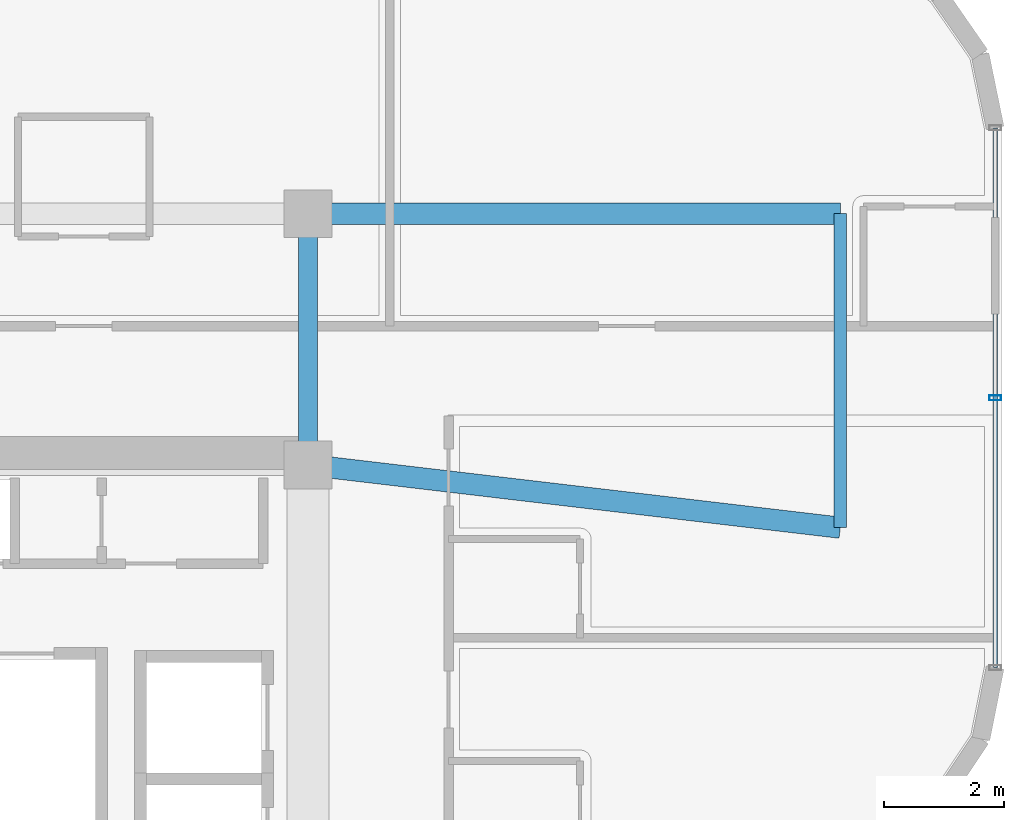
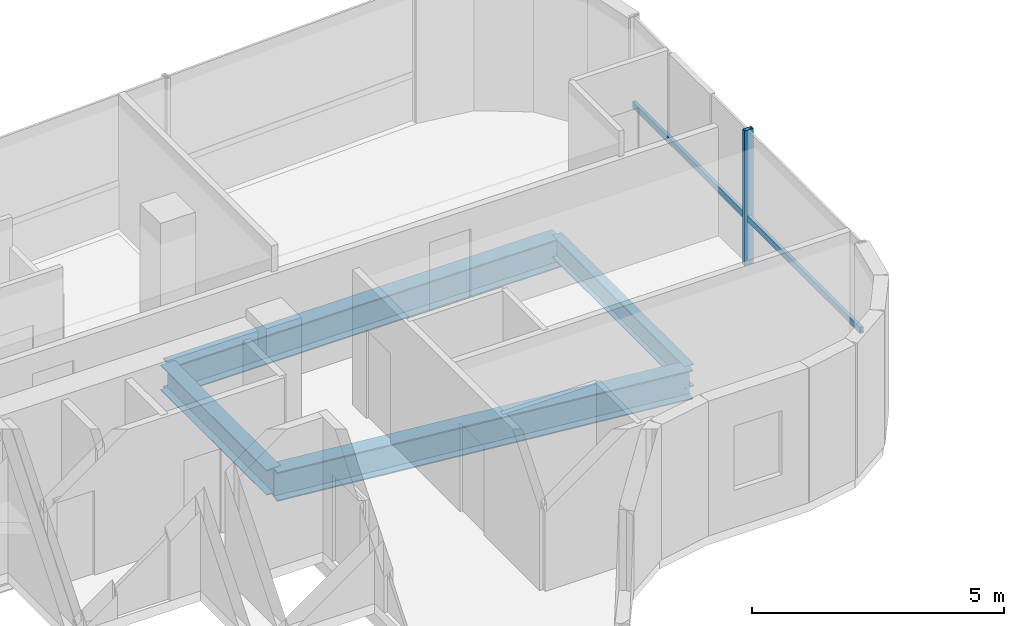
# One storey, part 9 of 20: 4 beams, 2 members, 1 element without a shape of its own.
"""IFC4 building model written with IfcOpenShell, lengths in metres."""

from ifc_helpers import new_model, si_unit, direction, frame, origin, origin_2d, place, context, subcontext, project, spatial, hollow_rectangle, i_section, extrude, source, transform, mapped, material, material_profile, profile_set, type_object, element, aggregate, save


model = new_model("IFC4")

# Units and contexts
model_context = context("Model", 3, precision=1e-05, world=origin(), true_north=direction((0.0, 1.0)))
body_context = subcontext(model_context, "Body", "Model", "MODEL_VIEW")
ifc_project = project(units=[si_unit("LENGTHUNIT", "METRE"), si_unit("AREAUNIT", "SQUARE_METRE"), si_unit("VOLUMEUNIT", "CUBIC_METRE"), si_unit("PLANEANGLEUNIT", "RADIAN"), si_unit("MASSUNIT", "GRAM", prefix="KILO")], contexts=[model_context])

# Site, building, storey
site_placement = place(None, origin())
site = spatial("IfcSite", under=ifc_project, at=site_placement, CompositionType="ELEMENT")
building_placement = place(site_placement, origin())
building = spatial("IfcBuilding", under=site, at=building_placement, Name="Valdorenza Pilgrim Sanctuary Tower", CompositionType="ELEMENT")
storey_placement = place(building_placement, frame((0.0, 0.0, 240.5)))
storey = spatial("IfcBuildingStorey", under=building, at=storey_placement, Name="L62", CompositionType="ELEMENT", Elevation=240.5)

# Beams
ifc_material_1 = material(Name="Steel ASTM A992 Grade 50", Category="steel")
ifc_material_profile_1 = material_profile(ifc_material_1, i_section(OverallWidth=0.323974609375, OverallDepth=0.611083984375, WebThickness=0.0126953125, FlangeThickness=0.01904296875, at=origin_2d()), Name="W24X104")
ifc_profile_set_1 = profile_set([ifc_material_profile_1], Name="Steel ASTM A992 Grade 50")
beam_type_1 = type_object("IfcBeamType", Name="STR-BM-GRD-W24B", PredefinedType="BEAM", material=ifc_profile_set_1)
shared_shape_1 = source(origin(), body_context, "Body", "SweptSolid", [
    extrude(i_section(OverallWidth=0.323974609375, OverallDepth=0.611083984375, WebThickness=0.0126953125, FlangeThickness=0.01904296875, at=origin_2d()), origin(), (0.0, 0.0, 1.0), 4.199951171875),
])
beam_1_placement = place(storey_placement, frame((-12.39990234375, 10.60009765625, -0.54541015625), z_axis=(0.0, 1.0, 0.0), x_axis=(-1.0, 0.0, 0.0)))
element("IfcBeam", 1, at=beam_1_placement, inside=storey, type_object=beam_type_1, Name="L62 Core Tie Girder CA-E-N1N2", PredefinedType="BEAM", context=body_context, shape_type="MappedRepresentation", body=[
    mapped(shared_shape_1, transform((0.0, 0.0, 0.0), x_axis=(1.0, 0.0, 0.0), y_axis=(0.0, 1.0, 0.0), z_axis=(0.0, 0.0, 1.0), scale=1.0)),
])
ifc_material_profile_2 = material_profile(ifc_material_1, i_section(OverallWidth=0.2109375, OverallDepth=0.5390625, WebThickness=0.01171875, FlangeThickness=0.018798828125, at=origin_2d()), Name="W21X73")
ifc_profile_set_2 = profile_set([ifc_material_profile_2], Name="Steel ASTM A992 Grade 50")
beam_type_2 = type_object("IfcBeamType", Name="STR-BM-SPN-W21B", PredefinedType="SPANDREL", material=ifc_profile_set_2)
shared_shape_2 = source(origin(), body_context, "Body", "SweptSolid", [
    extrude(i_section(OverallWidth=0.2109375, OverallDepth=0.5390625, WebThickness=0.01171875, FlangeThickness=0.018798828125, at=origin_2d()), origin(), (0.0, 0.0, 1.0), 5.25),
])
beam_2_placement = place(storey_placement, frame((-3.5, 9.550048828125, -0.509521484375), z_axis=(0.0, 1.0, 0.0), x_axis=(-1.0, 0.0, 0.0)))
element("IfcBeam", 2, at=beam_2_placement, inside=storey, type_object=beam_type_2, Name="L62 Floor Girder UWA-KTIE", PredefinedType="SPANDREL", context=body_context, shape_type="MappedRepresentation", body=[
    mapped(shared_shape_2, transform((0.0, 0.0, 0.0), x_axis=(1.0, 0.0, 0.0), y_axis=(0.0, 1.0, 0.0), z_axis=(0.0, 0.0, 1.0), scale=1.0)),
])
ifc_material_profile_3 = material_profile(ifc_material_1, i_section(OverallWidth=0.35595703125, OverallDepth=0.700927734375, WebThickness=0.016845703125, FlangeThickness=0.02734375, at=origin_2d()), Name="W27X161")
ifc_profile_set_3 = profile_set([ifc_material_profile_3], Name="Steel ASTM A992 Grade 50")
beam_type_3 = type_object("IfcBeamType", Name="STR-BM-GRD-W27", PredefinedType="BEAM", material=ifc_profile_set_3)
shared_shape_3 = source(origin(), body_context, "Body", "SweptSolid", [
    extrude(i_section(OverallWidth=0.35595703125, OverallDepth=0.700927734375, WebThickness=0.016845703125, FlangeThickness=0.02734375, at=origin_2d()), origin(), (0.0, 0.0, 1.0), 8.961669921875),
])
beam_3_placement = place(storey_placement, frame((-12.39990234375, 10.60009765625, -0.590576171875), z_axis=(0.993111684121, -0.117171595803, 0.0), x_axis=(0.117171595803, 0.993111684121, 0.0)))
element("IfcBeam", 3, at=beam_3_placement, inside=storey, type_object=beam_type_3, Name="L62 Floor Girder UWA-KG1", PredefinedType="BEAM", context=body_context, shape_type="MappedRepresentation", body=[
    mapped(shared_shape_3, transform((0.0, 0.0, 0.0), x_axis=(1.0, 0.0, 0.0), y_axis=(0.0, 1.0, 0.0), z_axis=(0.0, 0.0, 1.0), scale=1.0)),
])
shared_shape_4 = source(origin(), body_context, "Body", "SweptSolid", [
    extrude(i_section(OverallWidth=0.35595703125, OverallDepth=0.700927734375, WebThickness=0.016845703125, FlangeThickness=0.02734375, at=origin_2d()), origin(), (0.0, 0.0, 1.0), 8.89990234375),
])
beam_4_placement = place(storey_placement, frame((-12.39990234375, 14.800048828125, -0.590576171875), z_axis=(1.0, 0.0, 0.0), x_axis=(0.0, 1.0, 0.0)))
element("IfcBeam", 4, at=beam_4_placement, inside=storey, type_object=beam_type_3, Name="L62 Floor Girder UWA-KG2", PredefinedType="BEAM", context=body_context, shape_type="MappedRepresentation", body=[
    mapped(shared_shape_4, transform((0.0, 0.0, 0.0), x_axis=(1.0, 0.0, 0.0), y_axis=(0.0, 1.0, 0.0), z_axis=(0.0, 0.0, 1.0), scale=1.0)),
])

# Curtain wall, members
ifc_material_2 = material(Name="Curtain-wall IGU glazing", Category="glass")
curtain_wall_type = type_object("IfcCurtainWallType", Name="CW-SYS-02", PredefinedType="NOTDEFINED", material=ifc_material_2)
curtain_wall_placement = place(storey_placement, origin())
curtain_wall = element("IfcCurtainWall", 5, at=curtain_wall_placement, inside=storey, type_object=curtain_wall_type, Name="L62 Curtain Wall CW-L62-1-11", PredefinedType="NOTDEFINED")
ifc_material_3 = material(Name="Anodised aluminium AW-6060", Category="aluminium")
ifc_material_profile_4 = material_profile(ifc_material_3, hollow_rectangle(XDim=0.0849609375, YDim=0.199951171875, WallThickness=0.0048828125, at=origin_2d()), Name="ALU-M 200x85x5")
ifc_profile_set_4 = profile_set([ifc_material_profile_4], Name="Anodised aluminium AW-6060")
member_type_1 = type_object("IfcMemberType", Name="CW-MUL-02", PredefinedType="MULLION", material=ifc_profile_set_4)
shared_shape_5 = source(origin(), body_context, "Body", "SweptSolid", [
    extrude(hollow_rectangle(XDim=0.0849609375, YDim=0.199951171875, WallThickness=0.0048828125, at=origin_2d()), origin(), (0.0, 0.0, 1.0), 3.260009765625),
])
member_1_placement = place(storey_placement, frame((-0.909912109375, 11.72265625, 0.0), z_axis=(0.0, 0.0, 1.0), x_axis=(0.0, -1.0, 0.0)))
member_1 = element("IfcMember", 6, at=member_1_placement, type_object=member_type_1, Name="CW-L62-1-11 Mullion 2", PredefinedType="MULLION", context=body_context, shape_type="MappedRepresentation", body=[
    mapped(shared_shape_5, transform((0.0, 0.0, 0.0), x_axis=(1.0, 0.0, 0.0), y_axis=(0.0, 1.0, 0.0), z_axis=(0.0, 0.0, 1.0), scale=1.0)),
])
ifc_material_profile_5 = material_profile(ifc_material_3, hollow_rectangle(XDim=0.074951171875, YDim=0.14990234375, WallThickness=0.00390625, at=origin_2d()), Name="ALU-T 150x75x4")
ifc_profile_set_5 = profile_set([ifc_material_profile_5], Name="Anodised aluminium AW-6060")
member_type_2 = type_object("IfcMemberType", Name="CW-TRN-02", PredefinedType="USERDEFINED", material=ifc_profile_set_5)
shared_shape_6 = source(origin(), body_context, "Body", "SweptSolid", [
    extrude(hollow_rectangle(XDim=0.074951171875, YDim=0.14990234375, WallThickness=0.00390625, at=origin_2d()), origin(), (0.0, 0.0, 1.0), 9.023681640625),
])
member_2_placement = place(storey_placement, frame((-0.909912109375, 16.234375, 1.1201171875), z_axis=(0.0, -1.0, 0.0), x_axis=(1.0, 0.0, 0.0)))
member_2 = element("IfcMember", 7, at=member_2_placement, type_object=member_type_2, Name="CW-L62-1-11 Transom 1", ObjectType="TRANSOM", PredefinedType="USERDEFINED", context=body_context, shape_type="MappedRepresentation", body=[
    mapped(shared_shape_6, transform((0.0, 0.0, 0.0), x_axis=(1.0, 0.0, 0.0), y_axis=(0.0, 1.0, 0.0), z_axis=(0.0, 0.0, 1.0), scale=1.0)),
])
aggregate(curtain_wall, [member_1, member_2])

save(model, "model.ifc")
